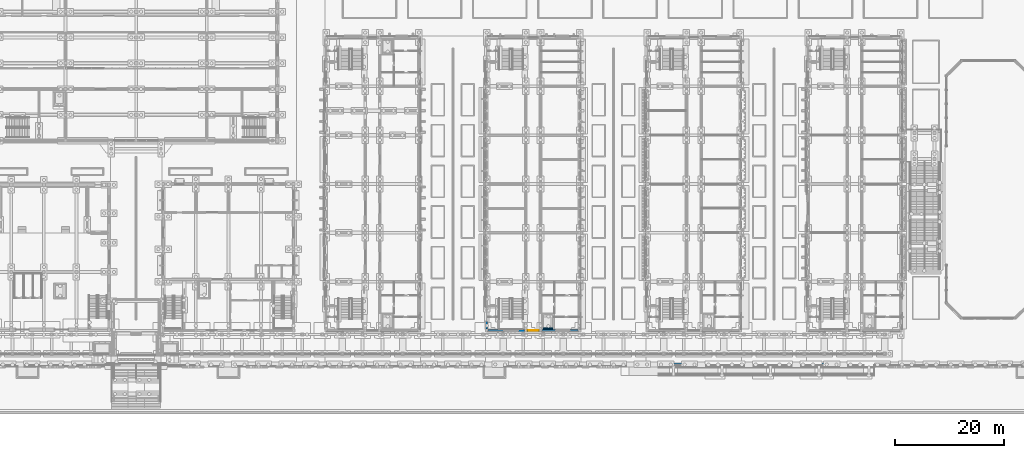
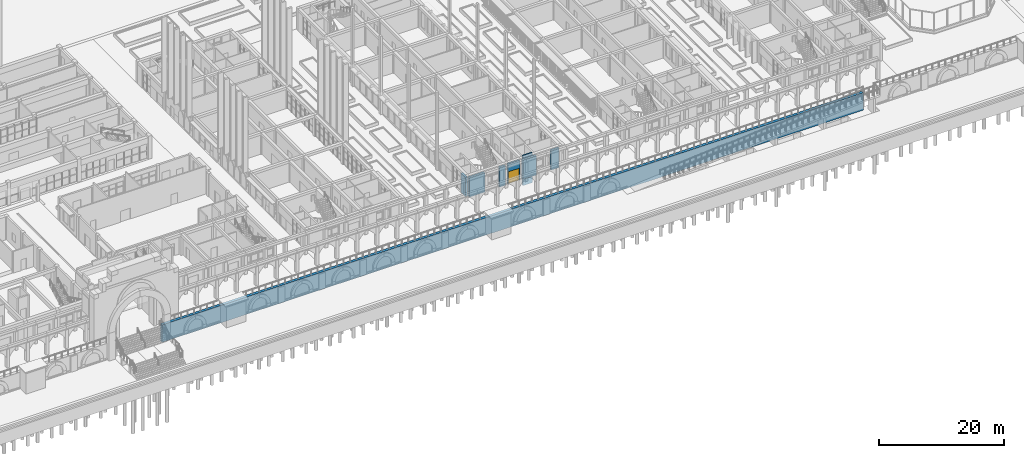
# One storey, part 59 of 161: 9 walls, 1 door, 1 opening.
"""IFC4 building model written with IfcOpenShell, lengths in metres."""

from ifc_helpers import new_model, si_unit, direction, frame, frame_2d, origin, place, context, subcontext, project, spatial, rectangle, extrude, material, layer, layer_set, type_object, element, fill, save


model = new_model("IFC4")

# Units and contexts
model_context = context("Model", 3, precision=1e-05, world=origin(), true_north=direction((0.0, 1.0)))
body_context = subcontext(model_context, "Body", "Model", "MODEL_VIEW")
ifc_project = project(units=[si_unit("LENGTHUNIT", "METRE"), si_unit("AREAUNIT", "SQUARE_METRE"), si_unit("VOLUMEUNIT", "CUBIC_METRE"), si_unit("PLANEANGLEUNIT", "RADIAN"), si_unit("MASSUNIT", "GRAM", prefix="KILO")], contexts=[model_context])

# Site, building, storey
site_placement = place(None, origin())
site = spatial("IfcSite", under=ifc_project, at=site_placement, CompositionType="ELEMENT")
building_placement = place(site_placement, origin())
building = spatial("IfcBuilding", under=site, at=building_placement, Name="Elbe Cascade School", CompositionType="ELEMENT")
storey_placement = place(building_placement, origin())
storey = spatial("IfcBuildingStorey", under=building, at=storey_placement, Name="L00", CompositionType="ELEMENT", Elevation=0.0)

# Wall, opening, door
ifc_material_1 = material(Name="Brick masonry - red clinker, cavity wall with render backing", Category="masonry")
ifc_layer_1 = layer(ifc_material_1, 0.360107421875)
ifc_layer_set_1 = layer_set([ifc_layer_1], Name="Brick masonry - red clinker, cavity wall with render backing")
wall_type_1 = type_object("IfcWallType", Name="Bars envelope External wall - clinker brick cavity, 360 ground floor", PredefinedType="STANDARD", material=ifc_layer_set_1)
wall_1_placement = place(storey_placement, frame((108.25, 6.0, 0.0), z_axis=(0.0, 0.0, 1.0), x_axis=(-1.0, 0.0, 0.0)))
wall_1 = element("IfcWall", 1, at=wall_1_placement, inside=storey, type_object=wall_type_1, Name="External wall W29 B.L00.s2", PredefinedType="STANDARD", context=body_context, shape_type="SweptSolid", body=[
    extrude(rectangle(XDim=2.199951171875, YDim=0.360107421875, at=frame_2d((1.10009765625, 0.0))), origin(), (0.0, 0.0, 1.0), 3.89990234375),
])
opening_placement = place(wall_1_placement, frame((0.10009765625, 0.0, 0.0)))
opening = element("IfcOpeningElement", 2, at=opening_placement, cuts=wall_1, Name="Opening D0.036", PredefinedType="OPENING", context=body_context, shape_type="SweptSolid", body=[
    extrude(rectangle(XDim=2.0, YDim=2.39990234375, at=frame_2d((1.0, 1.199951171875))), frame((0.0, 0.18994140625, 0.0), z_axis=(0.0, -1.0, 0.0), x_axis=(1.0, 0.0, 0.0)), (0.0, 0.0, 1.0), 0.380126953125),
])
ifc_material_2 = material(Name="Aluminium and glass fire-resisting door set", Category="aluminium")
door_type = type_object("IfcDoorType", Name="Bars envelope Main entrance door, double leaf, glazed, 2000 x 2400, fire resisting", OperationType="DOUBLE_DOOR_SINGLE_SWING", PredefinedType="DOOR", material=ifc_material_2)
door_placement = place(opening_placement, origin())
door = element("IfcDoor", 3, at=door_placement, inside=storey, type_object=door_type, Name="Main entrance door D15 B.L00.s2", OperationType="DOUBLE_DOOR_SINGLE_SWING", OverallHeight=2.39990234375, OverallWidth=2.0, PredefinedType="DOOR", context=body_context, shape_type="SweptSolid", body=[
    extrude(rectangle(XDim=2.0, YDim=2.39990234375, at=frame_2d((1.0, 1.199951171875))), frame((0.0, 0.02490234375, 0.0), z_axis=(0.0, -1.0, 0.0), x_axis=(1.0, 0.0, 0.0)), (0.0, 0.0, 1.0), 0.050048828125),
])
fill(opening, door)

# Walls
ifc_material_3 = material(Name="Brick masonry - red clinker, solid, sandstone-faced", Category="masonry")
ifc_layer_2 = layer(ifc_material_3, 0.39990234375)
ifc_layer_set_2 = layer_set([ifc_layer_2], Name="Brick masonry - red clinker, solid, sandstone-faced")
wall_type_2 = type_object("IfcWallType", Name="Bars envelope External wall - solid masonry core strip, sandstone faced, 400", PredefinedType="STANDARD", material=ifc_layer_set_2)
wall_2_placement = place(storey_placement, frame((98.580078125, 6.25, 0.0), z_axis=(0.0, 0.0, 1.0), x_axis=(0.0, 1.0, 0.0)))
element("IfcWall", 4, at=wall_2_placement, inside=storey, type_object=wall_type_2, Name="External wall W31 B.L00.w1a", PredefinedType="STANDARD", context=body_context, shape_type="SweptSolid", body=[
    extrude(rectangle(XDim=1.43994140625, YDim=0.39990234375, at=frame_2d((0.719970703125, 0.0))), origin(), (0.0, 0.0, 1.0), 3.75),
])
wall_3_placement = place(storey_placement, frame((101.75, 5.97998046875, 0.0), z_axis=(0.0, 0.0, 1.0), x_axis=(-1.0, 0.0, 0.0)))
element("IfcWall", 5, at=wall_3_placement, inside=storey, type_object=wall_type_2, Name="External wall W31 B.L00.s1a", PredefinedType="STANDARD", context=body_context, shape_type="SweptSolid", body=[
    extrude(rectangle(XDim=2.89990234375, YDim=0.39990234375, at=frame_2d((1.449951171875, 0.0))), origin(), (0.0, 0.0, 1.0), 3.800048828125),
])
wall_4_placement = place(storey_placement, frame((105.550048828125, 5.97998046875, 0.0), z_axis=(0.0, 0.0, 1.0), x_axis=(-1.0, 0.0, 0.0)))
element("IfcWall", 6, at=wall_4_placement, inside=storey, type_object=wall_type_2, Name="External wall W31 B.L00.s1b", PredefinedType="STANDARD", context=body_context, shape_type="SweptSolid", body=[
    extrude(rectangle(XDim=1.10009765625, YDim=0.39990234375, at=frame_2d((0.550048828125, 0.0))), origin(), (0.0, 0.0, 1.0), 3.800048828125),
])
wall_5_placement = place(storey_placement, frame((111.25, 5.97998046875, 0.0), z_axis=(0.0, 0.0, 1.0), x_axis=(-1.0, 0.0, 0.0)))
element("IfcWall", 7, at=wall_5_placement, inside=storey, type_object=wall_type_2, Name="External wall W31 B.L00.s3a", PredefinedType="STANDARD", context=body_context, shape_type="SweptSolid", body=[
    extrude(rectangle(XDim=2.5, YDim=0.39990234375, at=frame_2d((1.25, 0.0))), origin(), (0.0, 0.0, 1.0), 3.800048828125),
])
wall_6_placement = place(storey_placement, frame((115.449951171875, 5.97998046875, 0.0), z_axis=(0.0, 0.0, 1.0), x_axis=(-1.0, 0.0, 0.0)))
element("IfcWall", 8, at=wall_6_placement, inside=storey, type_object=wall_type_2, Name="External wall W31 B.L00.s3b", PredefinedType="STANDARD", context=body_context, shape_type="SweptSolid", body=[
    extrude(rectangle(XDim=1.5, YDim=0.39990234375, at=frame_2d((0.75, 0.0))), origin(), (0.0, 0.0, 1.0), 3.800048828125),
])
ifc_material_4 = material(Name="Concrete C35/45", Category="concrete")
ifc_layer_3 = layer(ifc_material_4, 0.5)
ifc_layer_set_3 = layer_set([ifc_layer_3], Name="Concrete C35/45")
wall_type_3 = type_object("IfcWallType", Name="Quay wall RC 500", PredefinedType="STANDARD", material=ifc_layer_set_3)
wall_7_placement = place(storey_placement, frame((38.5, -0.25, -3.39990234375), z_axis=(0.0, 0.0, 1.0), x_axis=(1.0, 0.0, 0.0)))
element("IfcWall", 9, at=wall_7_placement, inside=storey, type_object=wall_type_3, Name="Quay wall 2", PredefinedType="STANDARD", context=body_context, shape_type="SweptSolid", body=[
    extrude(rectangle(XDim=129.5, YDim=0.5, at=frame_2d((64.75, 0.0))), origin(), (0.0, 0.0, 1.0), 3.39990234375),
])
ifc_material_5 = material(Name="Concrete C30/37", Category="concrete")
ifc_layer_4 = layer(ifc_material_5, 0.25)
ifc_layer_set_4 = layer_set([ifc_layer_4], Name="Concrete C30/37")
wall_type_4 = type_object("IfcWallType", Name="Shaft wall 250", PredefinedType="SHEAR", material=ifc_layer_set_4)
wall_8_placement = place(storey_placement, frame((109.0, 6.375, 0.0), z_axis=(0.0, 0.0, 1.0), x_axis=(1.0, 0.0, 0.0)))
element("IfcWall", 10, at=wall_8_placement, inside=storey, type_object=wall_type_4, Name="Shaft wall 250 W1", PredefinedType="SHEAR", context=body_context, shape_type="SweptSolid", body=[
    extrude(rectangle(XDim=1.800048828125, YDim=0.25, at=frame_2d((0.89990234375, 0.0))), origin(), (0.0, 0.0, 1.0), 4.25),
])
wall_9_placement = place(storey_placement, frame((109.0, 6.375, -1.60009765625), z_axis=(0.0, 0.0, 1.0), x_axis=(1.0, 0.0, 0.0)))
element("IfcWall", 11, at=wall_9_placement, inside=storey, type_object=wall_type_4, Name="Shaft wall 250 W1", PredefinedType="SHEAR", context=body_context, shape_type="SweptSolid", body=[
    extrude(rectangle(XDim=1.800048828125, YDim=0.25, at=frame_2d((0.89990234375, 0.0))), origin(), (0.0, 0.0, 1.0), 1.60009765625),
])

save(model, "model.ifc")
